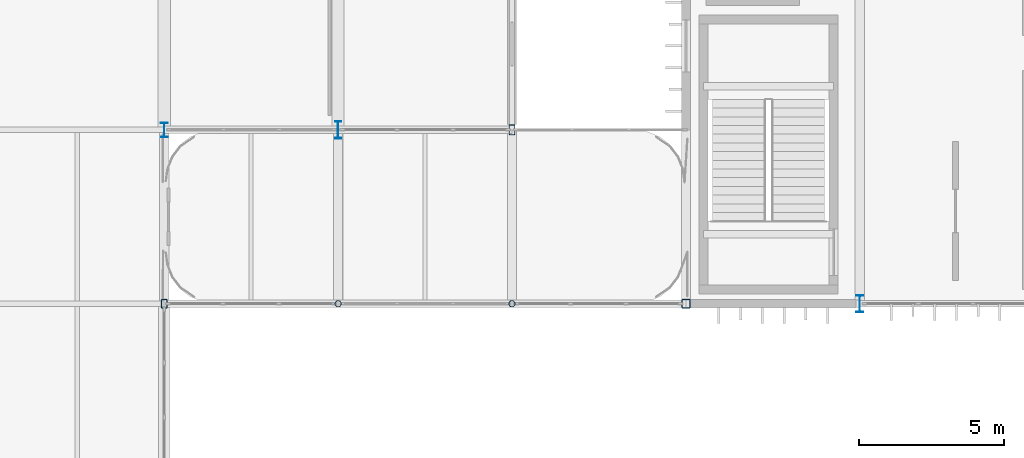
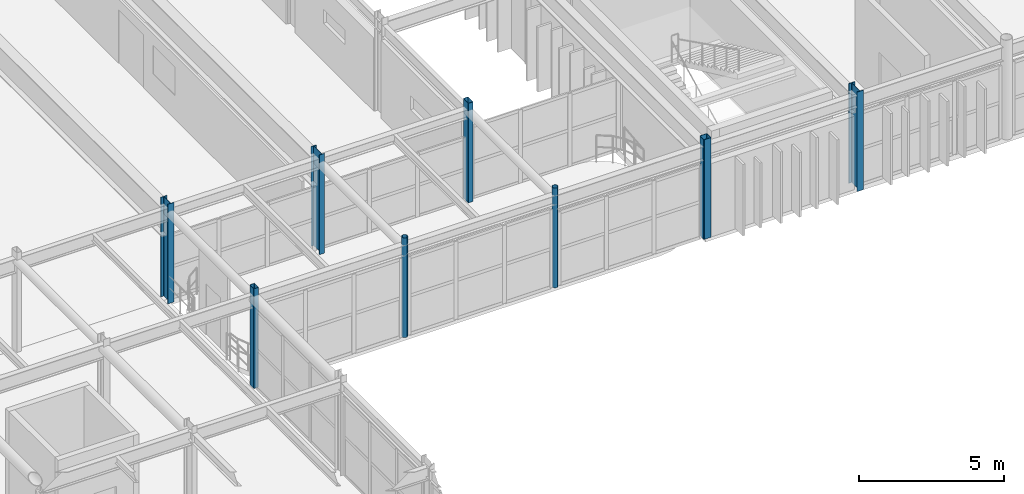
# One storey, part 12 of 116: 8 columns.
"""IFC4 building model written with IfcOpenShell, lengths in metres."""

from ifc_helpers import new_model, si_unit, direction, frame, origin, origin_2d, place, context, subcontext, project, spatial, hollow_rectangle, hollow_circle, i_section, extrude, material, material_profile, profile_set, type_object, element, save


model = new_model("IFC4")

# Units and contexts
model_context = context("Model", 3, precision=1e-05, world=origin(), true_north=direction((0.0, 1.0)))
body_context = subcontext(model_context, "Body", "Model", "MODEL_VIEW")
ifc_project = project(units=[si_unit("LENGTHUNIT", "METRE"), si_unit("AREAUNIT", "SQUARE_METRE"), si_unit("VOLUMEUNIT", "CUBIC_METRE"), si_unit("PLANEANGLEUNIT", "RADIAN"), si_unit("MASSUNIT", "GRAM", prefix="KILO")], contexts=[model_context])

# Site, building, storey
site_placement = place(None, origin())
site = spatial("IfcSite", under=ifc_project, at=site_placement, CompositionType="ELEMENT")
building_placement = place(site_placement, origin())
building = spatial("IfcBuilding", under=site, at=building_placement, Name="Varnakota Square Police Headquarters", CompositionType="ELEMENT")
storey_placement = place(building_placement, frame((0.0, 0.0, 9.300048828125)))
storey = spatial("IfcBuildingStorey", under=building, at=storey_placement, Name="L02", CompositionType="ELEMENT", Elevation=9.300048828125)

# Columns
ifc_material = material(Name="Steel IS 2062 Grade 350", Category="steel")
ifc_material_profile_1 = material_profile(ifc_material, hollow_circle(Radius=0.109619140625, WallThickness=0.008056640625, at=origin_2d()), Name="CHS 219.1x8.0")
ifc_profile_set_1 = profile_set([ifc_material_profile_1], Name="Steel IS 2062 Grade 350")
column_type_1 = type_object("IfcColumnType", Name="COL-CHS219", PredefinedType="COLUMN", material=ifc_profile_set_1)
for number, where, z_axis, x_axis, name in (
    (1, (48.0, 69.0, 0.0), (0.0, 0.0, 1.0), (1.0, 0.0, 0.0), "Column X0480-Y0690 L02"),
    (2, (54.0, 69.0, 0.0), (0.0, 0.0, 1.0), (1.0, 0.0, 0.0), "Column X0540-Y0690 L02"),
):
    element("IfcColumn", number, at=place(storey_placement, frame(where, z_axis=z_axis, x_axis=x_axis)), inside=storey, type_object=column_type_1, Name=name, PredefinedType="COLUMN", context=body_context, shape_type="SweptSolid", body=[
        extrude(hollow_circle(Radius=0.109619140625, WallThickness=0.008056640625, at=origin_2d()), origin(), (0.0, 0.0, 1.0), 4.199951171875),
    ])
ifc_material_profile_2 = material_profile(ifc_material, i_section(OverallWidth=0.2099609375, OverallDepth=0.60009765625, WebThickness=0.011962890625, FlangeThickness=0.020751953125, FilletRadius=0.02001953125, at=origin_2d()), Name="ISMB 600")
ifc_profile_set_2 = profile_set([ifc_material_profile_2], Name="Steel IS 2062 Grade 350")
column_type_2 = type_object("IfcColumnType", Name="COL-ISMB600", PredefinedType="COLUMN", material=ifc_profile_set_2)
column_1_placement = place(storey_placement, frame((48.0, 75.0, 0.0), z_axis=(0.0, 0.0, 1.0), x_axis=(1.0, 0.0, 0.0)))
element("IfcColumn", 3, at=column_1_placement, inside=storey, type_object=column_type_2, Name="Column X0480-Y0750 L02", PredefinedType="COLUMN", context=body_context, shape_type="SweptSolid", body=[
    extrude(i_section(OverallWidth=0.2099609375, OverallDepth=0.60009765625, WebThickness=0.011962890625, FlangeThickness=0.020751953125, FilletRadius=0.02001953125, at=origin_2d()), origin(), (0.0, 0.0, 1.0), 4.199951171875),
])
ifc_material_profile_3 = material_profile(ifc_material, i_section(OverallWidth=0.25, OverallDepth=0.5, WebThickness=0.010009765625, FlangeThickness=0.0146484375, FilletRadius=0.014892578125, at=origin_2d()), Name="ISWB 500")
ifc_profile_set_3 = profile_set([ifc_material_profile_3], Name="Steel IS 2062 Grade 350")
column_type_3 = type_object("IfcColumnType", Name="COL-ISWB500", PredefinedType="COLUMN", material=ifc_profile_set_3)
column_2_placement = place(storey_placement, frame((42.0, 75.0, 0.0), z_axis=(0.0, 0.0, 1.0), x_axis=(1.0, 0.0, 0.0)))
element("IfcColumn", 4, at=column_2_placement, inside=storey, type_object=column_type_3, Name="Column X0420-Y0750 L02", PredefinedType="COLUMN", context=body_context, shape_type="SweptSolid", body=[
    extrude(i_section(OverallWidth=0.25, OverallDepth=0.5, WebThickness=0.010009765625, FlangeThickness=0.0146484375, FilletRadius=0.014892578125, at=origin_2d()), origin(), (0.0, 0.0, 1.0), 4.199951171875),
])
ifc_material_profile_4 = material_profile(ifc_material, i_section(OverallWidth=0.25, OverallDepth=0.60009765625, WebThickness=0.01171875, FlangeThickness=0.023681640625, FilletRadius=0.01708984375, at=origin_2d()), Name="ISWB 600")
ifc_profile_set_4 = profile_set([ifc_material_profile_4], Name="Steel IS 2062 Grade 350")
column_type_4 = type_object("IfcColumnType", Name="COL-ISWB600", PredefinedType="COLUMN", material=ifc_profile_set_4)
column_3_placement = place(storey_placement, frame((66.0, 69.0, 0.0), z_axis=(0.0, 0.0, 1.0), x_axis=(1.0, 0.0, 0.0)))
element("IfcColumn", 5, at=column_3_placement, inside=storey, type_object=column_type_4, Name="Column X0660-Y0690 L02", PredefinedType="COLUMN", context=body_context, shape_type="SweptSolid", body=[
    extrude(i_section(OverallWidth=0.25, OverallDepth=0.60009765625, WebThickness=0.01171875, FlangeThickness=0.023681640625, FilletRadius=0.01708984375, at=origin_2d()), origin(), (0.0, 0.0, 1.0), 4.199951171875),
])
ifc_material_profile_5 = material_profile(ifc_material, hollow_rectangle(XDim=0.199951171875, YDim=0.300048828125, WallThickness=0.011962890625, InnerFilletRadius=0.011962890625, OuterFilletRadius=0.02392578125, at=origin_2d()), Name="RHS 300x200x12")
ifc_profile_set_5 = profile_set([ifc_material_profile_5], Name="Steel IS 2062 Grade 350")
column_type_5 = type_object("IfcColumnType", Name="COL-RHS300", PredefinedType="COLUMN", material=ifc_profile_set_5)
column_4_placement = place(storey_placement, frame((42.0, 69.0, 0.0), z_axis=(0.0, 0.0, 1.0), x_axis=(1.0, 0.0, 0.0)))
element("IfcColumn", 6, at=column_4_placement, inside=storey, type_object=column_type_5, Name="Column X0420-Y0690 L02", PredefinedType="COLUMN", context=body_context, shape_type="SweptSolid", body=[
    extrude(hollow_rectangle(XDim=0.199951171875, YDim=0.300048828125, WallThickness=0.011962890625, InnerFilletRadius=0.011962890625, OuterFilletRadius=0.02392578125, at=origin_2d()), origin(), (0.0, 0.0, 1.0), 4.199951171875),
])
ifc_material_profile_6 = material_profile(ifc_material, hollow_rectangle(XDim=0.199951171875, YDim=0.35009765625, WallThickness=0.011962890625, InnerFilletRadius=0.011962890625, OuterFilletRadius=0.02392578125, at=origin_2d()), Name="RHS 350x200x12")
ifc_profile_set_6 = profile_set([ifc_material_profile_6], Name="Steel IS 2062 Grade 350")
column_type_6 = type_object("IfcColumnType", Name="COL-RHS350", PredefinedType="COLUMN", material=ifc_profile_set_6)
column_5_placement = place(storey_placement, frame((54.0, 75.0, 0.0), z_axis=(0.0, 0.0, 1.0), x_axis=(1.0, 0.0, 0.0)))
element("IfcColumn", 7, at=column_5_placement, inside=storey, type_object=column_type_6, Name="Column X0540-Y0750 L02", PredefinedType="COLUMN", context=body_context, shape_type="SweptSolid", body=[
    extrude(hollow_rectangle(XDim=0.199951171875, YDim=0.35009765625, WallThickness=0.011962890625, InnerFilletRadius=0.011962890625, OuterFilletRadius=0.02392578125, at=origin_2d()), origin(), (0.0, 0.0, 1.0), 4.199951171875),
])
ifc_material_profile_7 = material_profile(ifc_material, hollow_rectangle(XDim=0.300048828125, YDim=0.300048828125, WallThickness=0.01611328125, InnerFilletRadius=0.01611328125, OuterFilletRadius=0.031982421875, at=origin_2d()), Name="SHS 300x300x16")
ifc_profile_set_7 = profile_set([ifc_material_profile_7], Name="Steel IS 2062 Grade 350")
column_type_7 = type_object("IfcColumnType", Name="COL-SHS300", PredefinedType="COLUMN", material=ifc_profile_set_7)
column_6_placement = place(storey_placement, frame((60.0, 69.0, 0.0), z_axis=(0.0, 0.0, 1.0), x_axis=(1.0, 0.0, 0.0)))
element("IfcColumn", 8, at=column_6_placement, inside=storey, type_object=column_type_7, Name="Column X0600-Y0690 L02", PredefinedType="COLUMN", context=body_context, shape_type="SweptSolid", body=[
    extrude(hollow_rectangle(XDim=0.300048828125, YDim=0.300048828125, WallThickness=0.01611328125, InnerFilletRadius=0.01611328125, OuterFilletRadius=0.031982421875, at=origin_2d()), origin(), (0.0, 0.0, 1.0), 4.199951171875),
])

save(model, "model.ifc")
